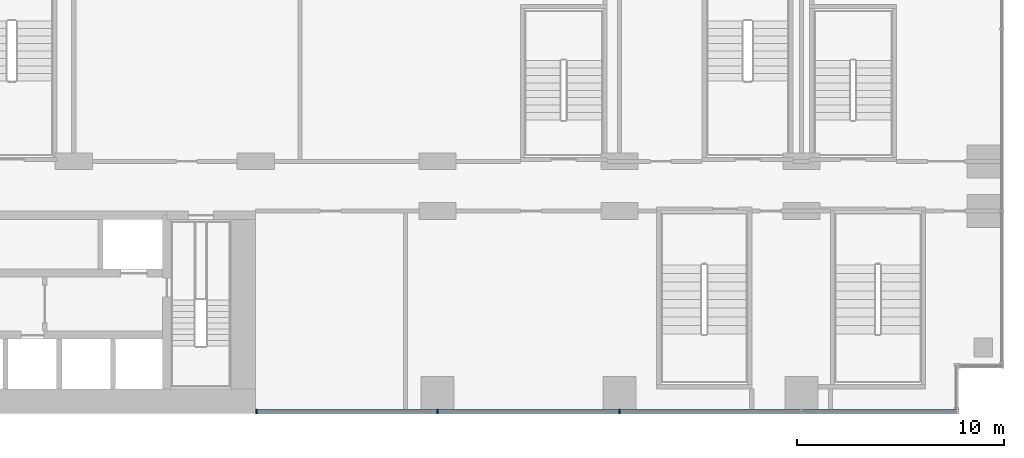
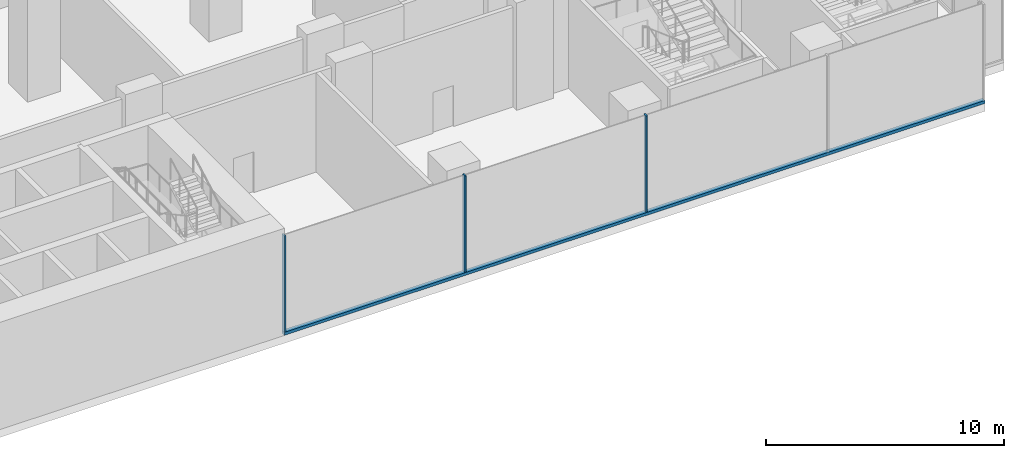
# One storey, part 3 of 30: 4 members, 1 element without a shape of its own.
"""IFC4 building model written with IfcOpenShell, lengths in metres."""

import ifcopenshell
import ifcopenshell.guid

model = None  # the IFC model being written
_history = None  # IfcOwnerHistory: only IFC2X3 demands one
_inside = {}  # id of a spatial element -> (the spatial element, [elements in it])
_under = {}  # id of a project, library or spatial element -> (it, [spatial elements below it])
_declared = {}  # id of a project -> (the project, [libraries it declares])
_typed = {}  # id of a type object -> (the type object, [elements of that type])
_made_of = {}  # id of a material, layer set ... -> (it, [elements and type objects made of it])


def new_model(schema):
    """Start an empty IFC model of exactly this schema.

    Asked for "IFC4X3", IfcOpenShell would pick the latest addendum, in which some entities
    have other attributes; the version numbers below select the first issue.
    IFC2X3 requires an IfcOwnerHistory on every rooted entity: one is made here for all.
    """
    global model, _history
    if schema == "IFC4X3":
        model = ifcopenshell.file(schema_version=(4, 3, 0, 0))
    else:
        model = ifcopenshell.file(schema=schema)
    _inside.clear()
    _under.clear()
    _declared.clear()
    _typed.clear()
    _made_of.clear()
    _history = None
    if model.schema == "IFC2X3":
        org = make("IfcOrganization", Name="unknown")
        user = make(
            "IfcPersonAndOrganization",
            ThePerson=make("IfcPerson", FamilyName="unknown"),
            TheOrganization=org,
        )
        app = make(
            "IfcApplication",
            ApplicationDeveloper=org,
            Version="unknown",
            ApplicationFullName="unknown",
            ApplicationIdentifier="unknown",
        )
        _history = make(
            "IfcOwnerHistory",
            OwningUser=user,
            OwningApplication=app,
            ChangeAction="ADDED",
            CreationDate=0,
        )
    return model


def make(cls, **values):
    """One entity of the class cls with the attributes given. An attribute that is None is left unset."""
    return model.create_entity(
        cls, **{name: value for name, value in values.items() if value is not None}
    )


def rooted(cls, **values):
    """An entity with a GlobalId (a new one), such as an element, a storey or a relation."""
    return make(cls, GlobalId=ifcopenshell.guid.new(), OwnerHistory=_history, **values)


def si_unit(unit_type, name, prefix=None):
    """IfcSIUnit, for example si_unit("LENGTHUNIT", "METRE", prefix="MILLI")."""
    return make("IfcSIUnit", UnitType=unit_type, Prefix=prefix, Name=name)


def assignment(units):
    """IfcUnitAssignment: the units of a project."""
    return None if units is None else make("IfcUnitAssignment", Units=units)


def point(xyz):
    """IfcCartesianPoint."""
    return None if xyz is None else make("IfcCartesianPoint", Coordinates=xyz)


def direction(xyz):
    """IfcDirection."""
    return None if xyz is None else make("IfcDirection", DirectionRatios=xyz)


def frame(location, z_axis=None, x_axis=None):
    """IfcAxis2Placement3D, a coordinate frame: its origin and axes. An axis left out is left unset."""
    return make(
        "IfcAxis2Placement3D",
        Location=point(location),
        Axis=direction(z_axis),
        RefDirection=direction(x_axis),
    )


def frame_2d(location, x_axis=None):
    """IfcAxis2Placement2D, a coordinate frame in the plane: its origin and x axis."""
    return make(
        "IfcAxis2Placement2D", Location=point(location), RefDirection=direction(x_axis)
    )


def origin():
    """The frame at (0, 0, 0) with its axes left unset."""
    return frame((0.0, 0.0, 0.0))


def origin_2d():
    """The frame at (0, 0) in the plane with its x axis left unset."""
    return frame_2d((0.0, 0.0))


def place(relative_to, where):
    """IfcLocalPlacement: puts the frame where relative to a parent placement (None: the world)."""
    return make(
        "IfcLocalPlacement", PlacementRelTo=relative_to, RelativePlacement=where
    )


def context(
    kind, dimensions, precision=None, world=None, true_north=None, identifier=None
):
    """IfcGeometricRepresentationContext, for example the 3D "Model" context."""
    return make(
        "IfcGeometricRepresentationContext",
        ContextIdentifier=identifier,
        ContextType=kind,
        CoordinateSpaceDimension=dimensions,
        Precision=precision,
        WorldCoordinateSystem=world,
        TrueNorth=true_north,
    )


def subcontext(parent, identifier, kind, view, scale=None):
    """IfcGeometricRepresentationSubContext, for example "Body" below "Model"."""
    return make(
        "IfcGeometricRepresentationSubContext",
        ContextIdentifier=identifier,
        ContextType=kind,
        ParentContext=parent,
        TargetScale=scale,
        TargetView=view,
    )


def project(units=None, contexts=None):
    """IfcProject with its units and contexts."""
    return rooted(
        "IfcProject",
        Name="project",
        RepresentationContexts=contexts,
        UnitsInContext=assignment(units),
    )


def spatial(cls, under=None, at=None, **own):
    """A site, building, storey or space (cls), placed at a placement, below another one or the project."""
    s = rooted(cls, ObjectPlacement=at, **own)
    if under is not None:
        _under.setdefault(under.id(), (under, []))[1].append(s)
    return s


def profile(cls, at=None, kind="AREA", **sizes):
    """A parametric profile (cls). Its sizes go by their IFC names, for example OverallWidth=200.0."""
    return make(cls, ProfileType=kind, Position=at, **sizes)


def rectangle(**sizes):
    """IfcRectangleProfileDef."""
    return profile("IfcRectangleProfileDef", **sizes)


def extrude(swept, where, along, depth):
    """IfcExtrudedAreaSolid: the profile swept, set in the frame where, extruded along a direction by depth."""
    return make(
        "IfcExtrudedAreaSolid",
        SweptArea=swept,
        Position=where,
        ExtrudedDirection=direction(along),
        Depth=depth,
    )


def shape(context_of_items, identifier, shape_type, items):
    """IfcShapeRepresentation: the items that make up one representation, for example the "Body"."""
    return make(
        "IfcShapeRepresentation",
        ContextOfItems=context_of_items,
        RepresentationIdentifier=identifier,
        RepresentationType=shape_type,
        Items=items,
    )


def source(mapping_origin, context_of_items, identifier, shape_type, items):
    """IfcRepresentationMap: a shape defined once, which mapped items show again and again."""
    return make(
        "IfcRepresentationMap",
        MappingOrigin=mapping_origin,
        MappedRepresentation=shape(context_of_items, identifier, shape_type, items),
    )


def transform(
    local_origin,
    x_axis=None,
    y_axis=None,
    z_axis=None,
    scale=None,
    scale2=None,
    scale3=None,
    uniform=True,
):
    """IfcCartesianTransformationOperator3D, or its non-uniform kind. x_axis, y_axis, z_axis: its Axis1, 2, 3."""
    if uniform:
        return make(
            "IfcCartesianTransformationOperator3D",
            Axis1=direction(x_axis),
            Axis2=direction(y_axis),
            LocalOrigin=point(local_origin),
            Scale=scale,
            Axis3=direction(z_axis),
        )
    return make(
        "IfcCartesianTransformationOperator3DnonUniform",
        Axis1=direction(x_axis),
        Axis2=direction(y_axis),
        LocalOrigin=point(local_origin),
        Scale=scale,
        Axis3=direction(z_axis),
        Scale2=scale2,
        Scale3=scale3,
    )


def mapped(mapping_source, mapping_target):
    """IfcMappedItem: shows the shape of a source again, moved by a transform."""
    return make(
        "IfcMappedItem", MappingSource=mapping_source, MappingTarget=mapping_target
    )


def material(Name=None, Category=None):
    """IfcMaterial."""
    return make("IfcMaterial", Name=Name, Category=Category)


def material_profile(
    of_material, cross_section, Name=None, Category=None, Priority=None
):
    """IfcMaterialProfile: a cross section and its material."""
    return make(
        "IfcMaterialProfile",
        Name=Name,
        Material=of_material,
        Profile=cross_section,
        Priority=Priority,
        Category=Category,
    )


def profile_set(profiles, Name=None, composite=None):
    """IfcMaterialProfileSet."""
    return make(
        "IfcMaterialProfileSet",
        Name=Name,
        MaterialProfiles=profiles,
        CompositeProfile=composite,
    )


def made_of(thing, what):
    """Note that an element or type object is made of a material, layer set ...; save() writes the relation."""
    if what is not None:
        _made_of.setdefault(what.id(), (what, []))[1].append(thing)
    return thing


def type_object(cls, material=None, **own):
    """A type object (cls), such as IfcWallType, which elements share."""
    return made_of(rooted(cls, **own), material)


def element(
    cls,
    number,
    at=None,
    inside=None,
    cuts=None,
    type_object=None,
    material=None,
    context=None,
    identifier="Body",
    shape_type=None,
    held_by="IfcProductDefinitionShape",
    body=None,
    shapes=None,
    **own,
):
    """One element of the class cls, such as IfcWall. Its Tag is "e" and its number.

    at: its placement. inside: the storey or other place that contains it. cuts: it is an
    opening in that element (IfcRelVoidsElement). A single representation is given by context,
    identifier, shape_type and body (its items); several are given by shapes. held_by: the class
    of the entity that holds the representations. save() writes the other relations.
    """
    e = rooted(cls, Tag="e%d" % number, ObjectPlacement=at, **own)
    if body is not None:
        shapes = [shape(context, identifier, shape_type, body)]
    if shapes is not None:
        e.Representation = make(held_by, Representations=shapes)
    if inside is not None:
        _inside.setdefault(inside.id(), (inside, []))[1].append(e)
    if cuts is not None:
        rooted(
            "IfcRelVoidsElement", RelatingBuildingElement=cuts, RelatedOpeningElement=e
        )
    if type_object is not None:
        _typed.setdefault(type_object.id(), (type_object, []))[1].append(e)
    return made_of(e, material)


def aggregate(whole, parts):
    """IfcRelAggregates: a whole, such as a stair, and the parts it consists of."""
    return rooted("IfcRelAggregates", RelatingObject=whole, RelatedObjects=parts)


def save(model, path):
    """Write the relations noted so far, then the file.

    IfcRelAggregates (storeys below a building ...), IfcRelContainedInSpatialStructure (elements
    in a storey), IfcRelDefinesByType, IfcRelAssociatesMaterial and IfcRelDeclares: one each for
    every whole, place, type object, material and project.
    """
    for whole, parts in _under.values():
        aggregate(whole, parts)
    for where, things in _inside.values():
        rooted(
            "IfcRelContainedInSpatialStructure",
            RelatedElements=things,
            RelatingStructure=where,
        )
    for kind, things in _typed.values():
        rooted("IfcRelDefinesByType", RelatedObjects=things, RelatingType=kind)
    for what, things in _made_of.values():
        rooted("IfcRelAssociatesMaterial", RelatedObjects=things, RelatingMaterial=what)
    for by, libraries in _declared.values():
        rooted("IfcRelDeclares", RelatingContext=by, RelatedDefinitions=libraries)
    model.write(path)


model = new_model("IFC4")

# Units and contexts
model_context = context("Model", 3, precision=1e-05, world=origin(), true_north=direction((0.0, 1.0)))
body_context = subcontext(model_context, "Body", "Model", "MODEL_VIEW")
ifc_project = project(units=[si_unit("LENGTHUNIT", "METRE"), si_unit("AREAUNIT", "SQUARE_METRE"), si_unit("VOLUMEUNIT", "CUBIC_METRE"), si_unit("PLANEANGLEUNIT", "RADIAN"), si_unit("MASSUNIT", "GRAM", prefix="KILO")], contexts=[model_context])

# Site, building, storey
site_placement = place(None, origin())
site = spatial("IfcSite", under=ifc_project, at=site_placement, CompositionType="ELEMENT")
building_placement = place(site_placement, origin())
building = spatial("IfcBuilding", under=site, at=building_placement, Name="Kemantara Hotel Tower", CompositionType="ELEMENT")
storey_placement = place(building_placement, frame((0.0, 0.0, 23.5)))
storey = spatial("IfcBuildingStorey", under=building, at=storey_placement, Name="L04", CompositionType="ELEMENT", Elevation=23.5)

# Curtain wall, members
ifc_material_1 = material(Name="Laminated tinted insulated glass 44 mm", Category="glass")
curtain_wall_type = type_object("IfcCurtainWallType", Name="PODIUM GLASS CURTAIN WALL", PredefinedType="USERDEFINED", material=ifc_material_1)
curtain_wall_placement = place(storey_placement, origin())
curtain_wall = element("IfcCurtainWall", 1, at=curtain_wall_placement, inside=storey, type_object=curtain_wall_type, Name="CW1 L04 POD-R01-2", ObjectType="PODIUM GLASS CURTAIN WALL", PredefinedType="USERDEFINED")
ifc_material_2 = material(Name="Aluminium 6063-T6 bronze anodised", Category="aluminium")
ifc_material_profile_1 = material_profile(ifc_material_2, rectangle(XDim=0.199951171875, YDim=0.14990234375, at=origin_2d()), Name="PODIUM GLASS CURTAIN WALL TRANSOM")
ifc_profile_set_1 = profile_set([ifc_material_profile_1], Name="Aluminium 6063-T6 bronze anodised")
member_type_1 = type_object("IfcMemberType", Name="PODIUM GLASS CURTAIN WALL TRANSOM", PredefinedType="USERDEFINED", material=ifc_profile_set_1)
member_1_placement = place(storey_placement, frame((45.0, 0.10009765625, 0.074951171875), z_axis=(1.0, 0.0, 0.0), x_axis=(0.0, 1.0, 0.0)))
member_1 = element("IfcMember", 2, at=member_1_placement, type_object=member_type_1, Name="CW1 sill transom POD-R01-2", ObjectType="TRANSOM", PredefinedType="USERDEFINED", context=body_context, shape_type="SweptSolid", body=[
    extrude(rectangle(XDim=0.199951171875, YDim=0.14990234375, at=origin_2d()), origin(), (0.0, 0.0, 1.0), 34.0),
])
ifc_material_profile_2 = material_profile(ifc_material_2, rectangle(XDim=0.199951171875, YDim=0.074951171875, at=origin_2d()), Name="PODIUM GLASS CURTAIN WALL MULLION")
ifc_profile_set_2 = profile_set([ifc_material_profile_2], Name="Aluminium 6063-T6 bronze anodised")
member_type_2 = type_object("IfcMemberType", Name="PODIUM GLASS CURTAIN WALL MULLION", PredefinedType="MULLION", material=ifc_profile_set_2)
shared_shape = source(origin(), body_context, "Body", "SweptSolid", [
    extrude(rectangle(XDim=0.199951171875, YDim=0.074951171875, at=origin_2d()), origin(), (0.0, 0.0, 1.0), 4.9501953125),
])
member_2_placement = place(storey_placement, frame((45.03759765625, 0.10009765625, 0.14990234375), z_axis=(0.0, 0.0, 1.0), x_axis=(0.0, 1.0, 0.0)))
member_2 = element("IfcMember", 3, at=member_2_placement, type_object=member_type_2, Name="CW1 mullion POD-R01-2.1", PredefinedType="MULLION", context=body_context, shape_type="MappedRepresentation", body=[
    mapped(shared_shape, transform((0.0, 0.0, 0.0))),
])
member_3_placement = place(storey_placement, frame((53.800048828125, 0.10009765625, 0.14990234375), z_axis=(0.0, 0.0, 1.0), x_axis=(0.0, 1.0, 0.0)))
member_3 = element("IfcMember", 4, at=member_3_placement, type_object=member_type_2, Name="CW1 mullion POD-R01-2.2", PredefinedType="MULLION", context=body_context, shape_type="MappedRepresentation", body=[
    mapped(shared_shape, transform((0.0, 0.0, 0.0))),
])
member_4_placement = place(storey_placement, frame((62.60009765625, 0.10009765625, 0.14990234375), z_axis=(0.0, 0.0, 1.0), x_axis=(0.0, 1.0, 0.0)))
member_4 = element("IfcMember", 5, at=member_4_placement, type_object=member_type_2, Name="CW1 mullion POD-R01-2.3", PredefinedType="MULLION", context=body_context, shape_type="MappedRepresentation", body=[
    mapped(shared_shape, transform((0.0, 0.0, 0.0))),
])
aggregate(curtain_wall, [member_1, member_2, member_3, member_4])

save(model, "model.ifc")
